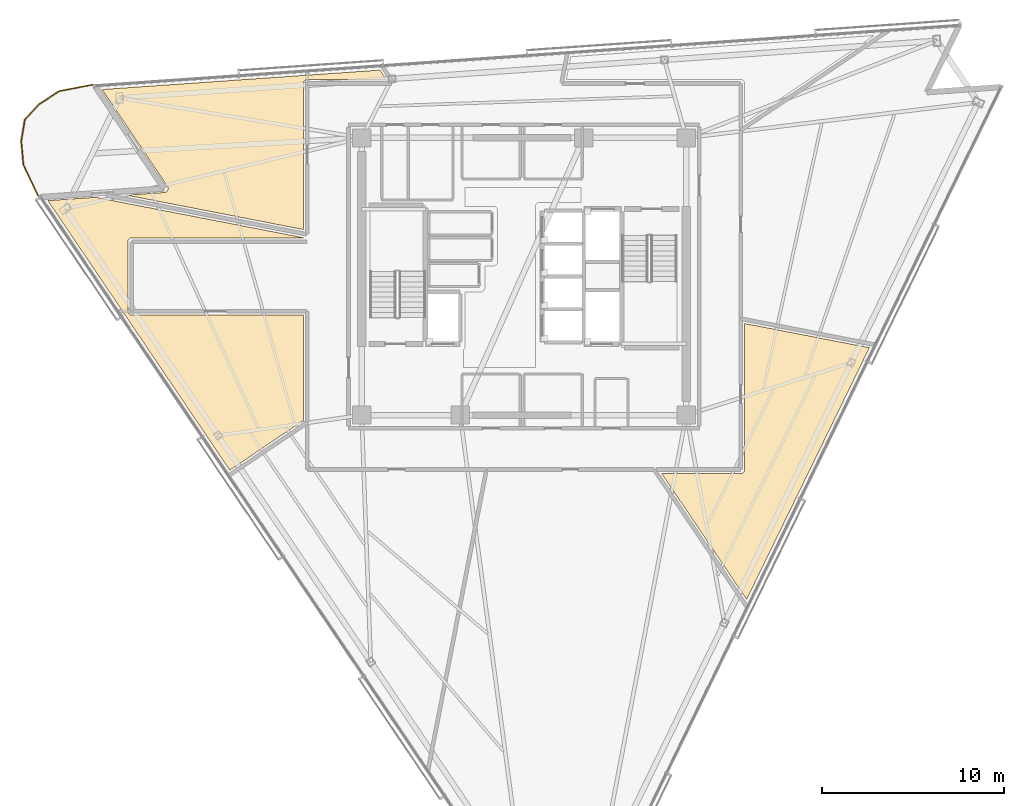
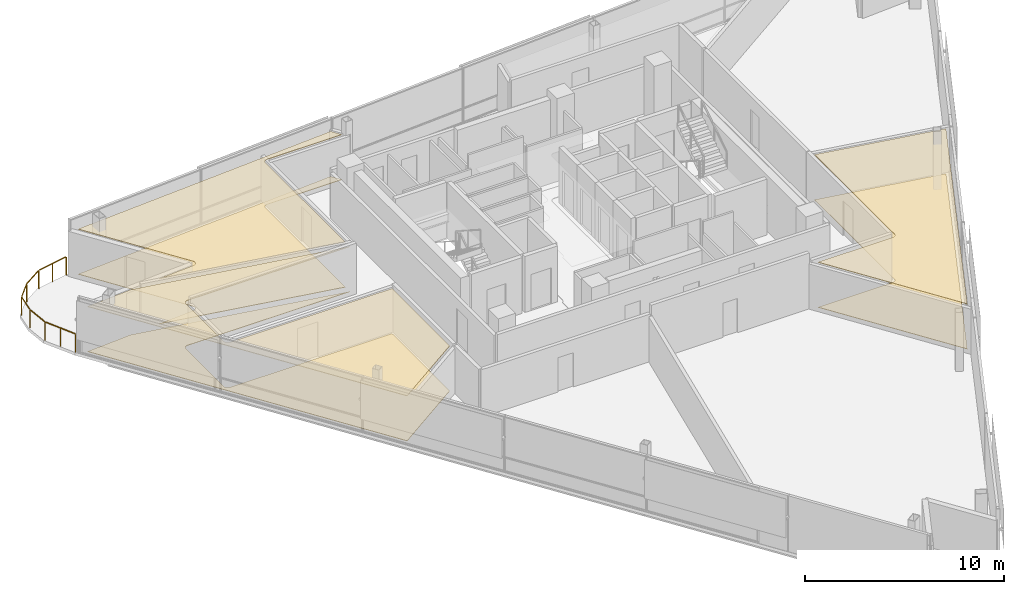
# One storey, part 14 of 16: 6 coverings, 1 railing.
"""IFC4 building model written with IfcOpenShell, lengths in metres."""

from ifc_helpers import new_model, si_unit, direction, frame, origin, origin_2d, place, context, subcontext, project, spatial, polyline, rectangle, outline, extrude, material, layer, layer_set, type_object, element, save


model = new_model("IFC4")

# Units and contexts
model_context = context("Model", 3, precision=1e-05, world=origin(), true_north=direction((0.0, 1.0)))
body_context = subcontext(model_context, "Body", "Model", "MODEL_VIEW")
ifc_project = project(units=[si_unit("LENGTHUNIT", "METRE"), si_unit("AREAUNIT", "SQUARE_METRE"), si_unit("VOLUMEUNIT", "CUBIC_METRE"), si_unit("PLANEANGLEUNIT", "RADIAN"), si_unit("MASSUNIT", "GRAM", prefix="KILO")], contexts=[model_context])

# Site, building, storey
site_placement = place(None, origin())
site = spatial("IfcSite", under=ifc_project, at=site_placement, CompositionType="ELEMENT")
building_placement = place(site_placement, origin())
building = spatial("IfcBuilding", under=site, at=building_placement, Name="Tharavind Bronze Gate", CompositionType="ELEMENT")
storey_placement = place(building_placement, frame((0.0, 0.0, 264.199951171875)))
storey = spatial("IfcBuildingStorey", under=building, at=storey_placement, Name="L68", CompositionType="ELEMENT", Elevation=264.199951171875)

# Coverings
ifc_material_1 = material(Name="Perforated Bronze Acoustic Panel", Category="bronze")
ifc_layer_1 = layer(ifc_material_1, 0.044921875)
ifc_layer_set_1 = layer_set([ifc_layer_1], Name="Perforated Bronze Acoustic Panel")
covering_type_1 = type_object("IfcCoveringType", Name="ACOUSTIC BRONZE BAFFLE CEILING", PredefinedType="CEILING", material=ifc_layer_set_1)
covering_1_placement = place(storey_placement, frame((0.0, 0.0, 2.75)))
element("IfcCovering", 1, at=covering_1_placement, inside=storey, type_object=covering_type_1, Name="L68-RM-03 suspended ceiling", PredefinedType="CEILING", context=body_context, shape_type="SweptSolid", body=[
    extrude(outline(polyline([(-16.13525390625, -10.617919921875), (-12.10009765625, -7.896240234375), (-12.10009765625, -2.1201171875), (-21.49951171875, -2.1201171875), (-21.51025390625, -2.11962890625), (-21.5107421875, -2.11962890625), (-21.5322265625, -2.11767578125), (-21.553466796875, -2.11328125), (-21.57421875, -2.107177734375), (-21.593994140625, -2.098876953125), (-21.613037109375, -2.088623046875), (-21.631103515625, -2.07666015625), (-21.647705078125, -2.06298828125), (-21.6630859375, -2.047607421875), (-21.6767578125, -2.031005859375), (-21.688720703125, -2.01318359375), (-21.69873046875, -1.993896484375), (-21.70703125, -1.97412109375), (-21.71337890625, -1.953369140625), (-21.717529296875, -1.932373046875), (-21.7197265625, -1.910888671875), (-21.7197265625, -1.91015625), (-21.719970703125, -1.8994140625), (-21.719970703125, 1.8994140625), (-21.7197265625, 1.91015625), (-21.7197265625, 1.910888671875), (-21.717529296875, 1.932373046875), (-21.71337890625, 1.953369140625), (-21.70703125, 1.97412109375), (-21.69873046875, 1.993896484375), (-21.688720703125, 2.01318359375), (-21.6767578125, 2.031005859375), (-21.6630859375, 2.047607421875), (-21.647705078125, 2.06298828125), (-21.631103515625, 2.07666015625), (-21.613037109375, 2.088623046875), (-21.593994140625, 2.098876953125), (-21.57421875, 2.107177734375), (-21.553466796875, 2.11328125), (-21.5322265625, 2.11767578125), (-21.5107421875, 2.11962890625), (-21.51025390625, 2.11962890625), (-21.49951171875, 2.1201171875), (-12.10009765625, 2.1201171875), (-12.10009765625, 2.1279296875), (-23.490966796875, 4.342041015625), (-26.1025390625, 4.1591796875), (-16.13525390625, -10.617919921875)])), origin(), (0.0, 0.0, 1.0), 0.03515625),
])
ifc_material_2 = material(Name="Engineered Oak & Carpet Tile", Category="wood")
ifc_layer_2 = layer(ifc_material_2, 0.02490234375)
ifc_layer_set_2 = layer_set([ifc_layer_2], Name="Engineered Oak & Carpet Tile")
covering_type_2 = type_object("IfcCoveringType", Name="ENGINEERED TIMBER FLOORING", PredefinedType="FLOORING", material=ifc_layer_set_2)
covering_2_placement = place(storey_placement, origin())
element("IfcCovering", 2, at=covering_2_placement, inside=storey, type_object=covering_type_2, Name="L68-RM-02 floor finish", PredefinedType="FLOORING", context=body_context, shape_type="SweptSolid", body=[
    extrude(outline(polyline([(-19.552490234375, 4.94873046875), (-19.546630859375, 4.939453125), (-19.54638671875, 4.93896484375), (-19.535888671875, 4.919677734375), (-19.52734375, 4.8994140625), (-19.52099609375, 4.87841796875), (-19.516845703125, 4.85693359375), (-19.514892578125, 4.835205078125), (-19.514892578125, 4.813232421875), (-19.51708984375, 4.79150390625), (-19.521484375, 4.77001953125), (-19.5283203125, 4.7490234375), (-19.536865234375, 4.728759765625), (-19.54736328125, 4.709716796875), (-19.559814453125, 4.69140625), (-19.573974609375, 4.6748046875), (-19.58984375, 4.65966796875), (-19.60693359375, 4.64599609375), (-19.62548828125, 4.63427734375), (-19.64501953125, 4.624267578125), (-19.66552734375, 4.6162109375), (-19.686767578125, 4.610595703125), (-19.708251953125, 4.606689453125), (-19.708984375, 4.606689453125), (-19.7197265625, 4.605712890625), (-21.794677734375, 4.460693359375), (-12.10009765625, 2.576171875), (-12.10009765625, 10.579345703125), (-12.099609375, 10.590087890625), (-12.099609375, 10.5908203125), (-12.09765625, 10.6123046875), (-12.093505859375, 10.63330078125), (-12.087158203125, 10.654052734375), (-12.078857421875, 10.674072265625), (-12.068603515625, 10.693115234375), (-12.056640625, 10.7109375), (-12.04296875, 10.727783203125), (-12.027587890625, 10.742919921875), (-12.010986328125, 10.756591796875), (-11.9931640625, 10.768798828125), (-11.97412109375, 10.77880859375), (-11.9541015625, 10.787109375), (-11.933349609375, 10.79345703125), (-11.912353515625, 10.797607421875), (-11.890869140625, 10.7998046875), (-11.89013671875, 10.7998046875), (-11.87939453125, 10.800048828125), (-7.550048828125, 10.800048828125), (-7.899658203125, 11.318115234375), (-23.13037109375, 10.253173828125), (-19.552490234375, 4.94873046875)])), origin(), (0.0, 0.0, 1.0), 0.025146484375),
])
covering_3_placement = place(storey_placement, origin())
element("IfcCovering", 3, at=covering_3_placement, inside=storey, type_object=covering_type_2, Name="L68-RM-03 floor finish", PredefinedType="FLOORING", context=body_context, shape_type="SweptSolid", body=[
    extrude(outline(polyline([(-16.13525390625, -10.617919921875), (-12.10009765625, -7.896240234375), (-12.10009765625, -2.1201171875), (-21.49951171875, -2.1201171875), (-21.51025390625, -2.11962890625), (-21.5107421875, -2.11962890625), (-21.5322265625, -2.11767578125), (-21.553466796875, -2.11328125), (-21.57421875, -2.107177734375), (-21.593994140625, -2.098876953125), (-21.613037109375, -2.088623046875), (-21.631103515625, -2.07666015625), (-21.647705078125, -2.06298828125), (-21.6630859375, -2.047607421875), (-21.6767578125, -2.031005859375), (-21.688720703125, -2.01318359375), (-21.69873046875, -1.993896484375), (-21.70703125, -1.97412109375), (-21.71337890625, -1.953369140625), (-21.717529296875, -1.932373046875), (-21.7197265625, -1.910888671875), (-21.7197265625, -1.91015625), (-21.719970703125, -1.8994140625), (-21.719970703125, 1.8994140625), (-21.7197265625, 1.91015625), (-21.7197265625, 1.910888671875), (-21.717529296875, 1.932373046875), (-21.71337890625, 1.953369140625), (-21.70703125, 1.97412109375), (-21.69873046875, 1.993896484375), (-21.688720703125, 2.01318359375), (-21.6767578125, 2.031005859375), (-21.6630859375, 2.047607421875), (-21.647705078125, 2.06298828125), (-21.631103515625, 2.07666015625), (-21.613037109375, 2.088623046875), (-21.593994140625, 2.098876953125), (-21.57421875, 2.107177734375), (-21.553466796875, 2.11328125), (-21.5322265625, 2.11767578125), (-21.5107421875, 2.11962890625), (-21.51025390625, 2.11962890625), (-21.49951171875, 2.1201171875), (-12.10009765625, 2.1201171875), (-12.10009765625, 2.1279296875), (-23.490966796875, 4.342041015625), (-26.1025390625, 4.1591796875), (-16.13525390625, -10.617919921875)])), origin(), (0.0, 0.0, 1.0), 0.025146484375),
])
covering_4_placement = place(storey_placement, origin())
element("IfcCovering", 4, at=covering_4_placement, inside=storey, type_object=covering_type_2, Name="L68-RM-06 floor finish", PredefinedType="FLOORING", context=body_context, shape_type="SweptSolid", body=[
    extrude(outline(polyline([(12.2080078125, -17.705810546875), (18.93896484375, -3.905517578125), (12.10009765625, -2.576171875), (12.10009765625, -10.579345703125), (12.099609375, -10.590087890625), (12.099609375, -10.5908203125), (12.09765625, -10.6123046875), (12.093505859375, -10.63330078125), (12.087158203125, -10.654052734375), (12.078857421875, -10.674072265625), (12.068603515625, -10.693115234375), (12.056640625, -10.7109375), (12.04296875, -10.727783203125), (12.027587890625, -10.742919921875), (12.010986328125, -10.756591796875), (11.9931640625, -10.768798828125), (11.97412109375, -10.77880859375), (11.9541015625, -10.787109375), (11.933349609375, -10.79345703125), (11.912353515625, -10.797607421875), (11.890869140625, -10.7998046875), (11.89013671875, -10.7998046875), (11.87939453125, -10.800048828125), (7.550048828125, -10.800048828125), (12.2080078125, -17.705810546875)])), origin(), (0.0, 0.0, 1.0), 0.025146484375),
])
ifc_material_3 = material(Name="Acoustic Gypsum Board", Category="gypsum")
ifc_layer_3 = layer(ifc_material_3, 0.030029296875)
ifc_layer_set_3 = layer_set([ifc_layer_3], Name="Acoustic Gypsum Board")
covering_type_3 = type_object("IfcCoveringType", Name="GYPSUM SUSPENDED CEILING", PredefinedType="CEILING", material=ifc_layer_set_3)
covering_5_placement = place(storey_placement, frame((0.0, 0.0, 2.75)))
element("IfcCovering", 5, at=covering_5_placement, inside=storey, type_object=covering_type_3, Name="L68-RM-02 suspended ceiling", PredefinedType="CEILING", context=body_context, shape_type="SweptSolid", body=[
    extrude(outline(polyline([(-19.552490234375, 4.94873046875), (-19.546630859375, 4.939453125), (-19.54638671875, 4.93896484375), (-19.535888671875, 4.919677734375), (-19.52734375, 4.8994140625), (-19.52099609375, 4.87841796875), (-19.516845703125, 4.85693359375), (-19.514892578125, 4.835205078125), (-19.514892578125, 4.813232421875), (-19.51708984375, 4.79150390625), (-19.521484375, 4.77001953125), (-19.5283203125, 4.7490234375), (-19.536865234375, 4.728759765625), (-19.54736328125, 4.709716796875), (-19.559814453125, 4.69140625), (-19.573974609375, 4.6748046875), (-19.58984375, 4.65966796875), (-19.60693359375, 4.64599609375), (-19.62548828125, 4.63427734375), (-19.64501953125, 4.624267578125), (-19.66552734375, 4.6162109375), (-19.686767578125, 4.610595703125), (-19.708251953125, 4.606689453125), (-19.708984375, 4.606689453125), (-19.7197265625, 4.605712890625), (-21.794677734375, 4.460693359375), (-12.10009765625, 2.576171875), (-12.10009765625, 10.579345703125), (-12.099609375, 10.590087890625), (-12.099609375, 10.5908203125), (-12.09765625, 10.6123046875), (-12.093505859375, 10.63330078125), (-12.087158203125, 10.654052734375), (-12.078857421875, 10.674072265625), (-12.068603515625, 10.693115234375), (-12.056640625, 10.7109375), (-12.04296875, 10.727783203125), (-12.027587890625, 10.742919921875), (-12.010986328125, 10.756591796875), (-11.9931640625, 10.768798828125), (-11.97412109375, 10.77880859375), (-11.9541015625, 10.787109375), (-11.933349609375, 10.79345703125), (-11.912353515625, 10.797607421875), (-11.890869140625, 10.7998046875), (-11.89013671875, 10.7998046875), (-11.87939453125, 10.800048828125), (-7.550048828125, 10.800048828125), (-7.899658203125, 11.318115234375), (-23.13037109375, 10.253173828125), (-19.552490234375, 4.94873046875)])), origin(), (0.0, 0.0, 1.0), 0.03515625),
])
covering_6_placement = place(storey_placement, frame((0.0, 0.0, 2.75)))
element("IfcCovering", 6, at=covering_6_placement, inside=storey, type_object=covering_type_3, Name="L68-RM-06 suspended ceiling", PredefinedType="CEILING", context=body_context, shape_type="SweptSolid", body=[
    extrude(outline(polyline([(12.2080078125, -17.705810546875), (18.93896484375, -3.905517578125), (12.10009765625, -2.576171875), (12.10009765625, -10.579345703125), (12.099609375, -10.590087890625), (12.099609375, -10.5908203125), (12.09765625, -10.6123046875), (12.093505859375, -10.63330078125), (12.087158203125, -10.654052734375), (12.078857421875, -10.674072265625), (12.068603515625, -10.693115234375), (12.056640625, -10.7109375), (12.04296875, -10.727783203125), (12.027587890625, -10.742919921875), (12.010986328125, -10.756591796875), (11.9931640625, -10.768798828125), (11.97412109375, -10.77880859375), (11.9541015625, -10.787109375), (11.933349609375, -10.79345703125), (11.912353515625, -10.797607421875), (11.890869140625, -10.7998046875), (11.89013671875, -10.7998046875), (11.87939453125, -10.800048828125), (7.550048828125, -10.800048828125), (12.2080078125, -17.705810546875)])), origin(), (0.0, 0.0, 1.0), 0.03515625),
])

# Railing
ifc_material_4 = material(Name="Bronze Cap & Laminated Glass", Category="glass")
railing_type = type_object("IfcRailingType", Name="TERRACE GLASS GUARD RAILING 1150", PredefinedType="GUARDRAIL", material=ifc_material_4)
railing_placement = place(storey_placement, frame((-26.641845703125, 4.42236328125, 0.0)))
element("IfcRailing", 7, at=railing_placement, inside=storey, type_object=railing_type, Name="L68 tree balcony guard railing", PredefinedType="GUARDRAIL", context=body_context, shape_type="SweptSolid", body=[
    extrude(rectangle(XDim=0.048095703125, YDim=0.048095703125, at=origin_2d()), frame((-0.013671875, 0.02880859375, 1.1259765625), z_axis=(-0.430751391527, 0.902470630379, 0.0), x_axis=(-0.902470630379, -0.430751391527, 0.0)), (0.0, 0.0, 1.0), 1.80126953125),
    extrude(rectangle(XDim=0.048095703125, YDim=0.048095703125, at=origin_2d()), frame((-0.806396484375, 1.71533203125, 1.1259765625), z_axis=(-0.089334965903, 0.996001638486, 0.0), x_axis=(-0.996001638486, -0.089334965903, 0.0)), (0.0, 0.0, 1.0), 1.255859375),
    extrude(rectangle(XDim=0.048095703125, YDim=0.048095703125, at=origin_2d()), frame((-0.916259765625, 3.029541015625, 1.1259765625), z_axis=(0.162720183317, 0.986672256599, 0.0), x_axis=(-0.986672256599, 0.162720183317, 0.0)), (0.0, 0.0, 1.0), 1.115234375),
    extrude(rectangle(XDim=0.048095703125, YDim=0.048095703125, at=origin_2d()), frame((-0.707763671875, 4.18505859375, 1.1259765625), z_axis=(0.677316588689, 0.735691673656, 0.0), x_axis=(-0.735691673656, 0.677316588689, 0.0)), (0.0, 0.0, 1.0), 1.115478515625),
    extrude(rectangle(XDim=0.048095703125, YDim=0.048095703125, at=origin_2d()), frame((0.09619140625, 5.046630859375, 1.1259765625), z_axis=(0.839847920102, 0.542821767342, 0.0), x_axis=(-0.542821767342, 0.839847920102, 0.0)), (0.0, 0.0, 1.0), 1.256103515625),
    extrude(rectangle(XDim=0.048095703125, YDim=0.048095703125, at=origin_2d()), frame((1.20947265625, 5.751953125, 1.1259765625), z_axis=(0.98171467538, 0.190358336157, 0.0), x_axis=(-0.190358336157, 0.98171467538, 0.0)), (0.0, 0.0, 1.0), 1.763671875),
    extrude(rectangle(XDim=0.0400390625, YDim=0.0400390625, at=origin_2d()), origin(), (0.0, 0.0, 1.0), 1.097900390625),
    extrude(rectangle(XDim=0.0400390625, YDim=0.0400390625, at=origin_2d()), frame((-0.40185546875, 0.841796875, 0.0)), (0.0, 0.0, 1.0), 1.097900390625),
    extrude(rectangle(XDim=0.0400390625, YDim=0.0400390625, at=origin_2d()), frame((-0.803466796875, 1.683349609375, 0.0)), (0.0, 0.0, 1.0), 1.097900390625),
    extrude(rectangle(XDim=0.0400390625, YDim=0.0400390625, at=origin_2d()), frame((-0.92138671875, 2.998046875, 0.0)), (0.0, 0.0, 1.0), 1.097900390625),
    extrude(rectangle(XDim=0.0400390625, YDim=0.0400390625, at=origin_2d()), frame((-0.7294921875, 4.16162109375, 0.0)), (0.0, 0.0, 1.0), 1.097900390625),
    extrude(rectangle(XDim=0.0400390625, YDim=0.0400390625, at=origin_2d()), frame((0.0693359375, 5.029296875, 0.0)), (0.0, 0.0, 1.0), 1.097900390625),
    extrude(rectangle(XDim=0.0400390625, YDim=0.0400390625, at=origin_2d()), frame((1.177978515625, 5.745849609375, 0.0)), (0.0, 0.0, 1.0), 1.097900390625),
    extrude(rectangle(XDim=0.0400390625, YDim=0.0400390625, at=origin_2d()), frame((2.0751953125, 5.919921875, 0.0)), (0.0, 0.0, 1.0), 1.097900390625),
    extrude(rectangle(XDim=0.0400390625, YDim=0.0400390625, at=origin_2d()), frame((2.97216796875, 6.09375, 0.0)), (0.0, 0.0, 1.0), 1.097900390625),
])

save(model, "model.ifc")
